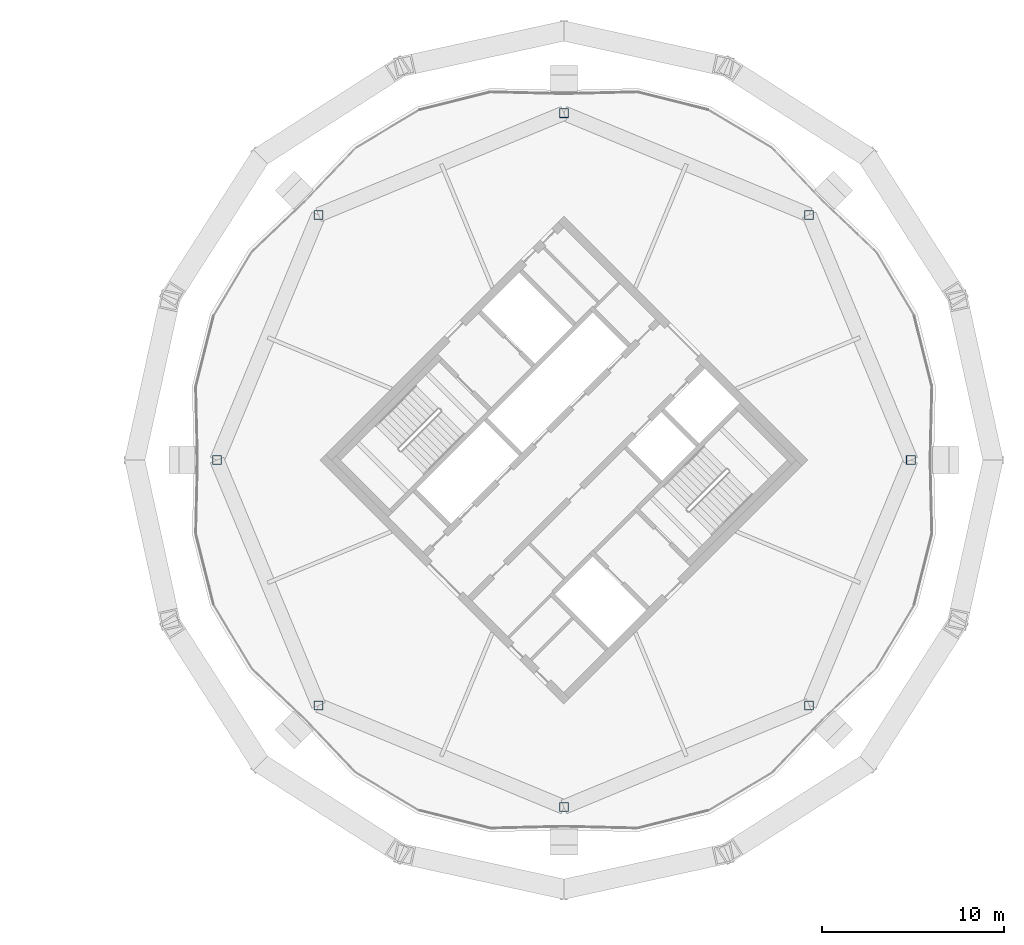
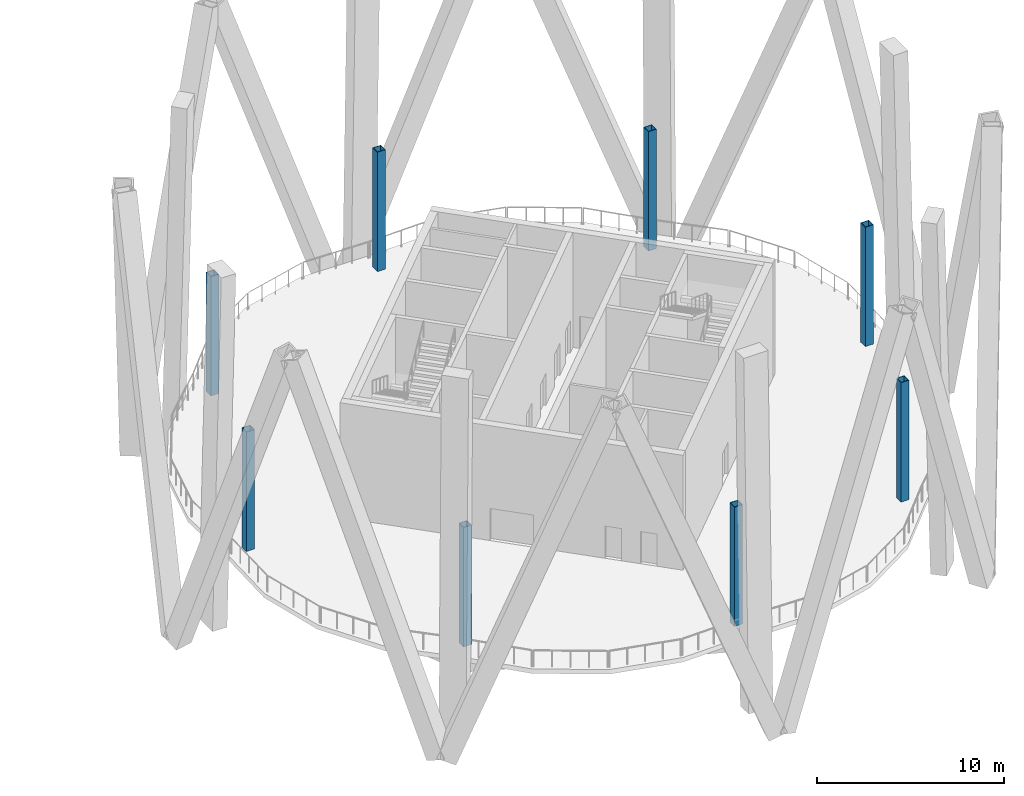
# One storey, part 2 of 13: 8 columns.
"""IFC4 building model written with IfcOpenShell, lengths in metres."""

from ifc_helpers import new_model, si_unit, direction, frame, origin, origin_2d, place, context, subcontext, project, spatial, hollow_rectangle, extrude, material, material_profile, profile_set, type_object, element, save


model = new_model("IFC4")

# Units and contexts
model_context = context("Model", 3, precision=1e-05, world=origin(), true_north=direction((0.0, 1.0)))
body_context = subcontext(model_context, "Body", "Model", "MODEL_VIEW")
ifc_project = project(units=[si_unit("LENGTHUNIT", "METRE"), si_unit("AREAUNIT", "SQUARE_METRE"), si_unit("VOLUMEUNIT", "CUBIC_METRE"), si_unit("PLANEANGLEUNIT", "RADIAN"), si_unit("MASSUNIT", "GRAM", prefix="KILO")], contexts=[model_context])

# Site, building, storey
site_placement = place(None, origin())
site = spatial("IfcSite", under=ifc_project, at=site_placement, CompositionType="ELEMENT")
building_placement = place(site_placement, origin())
building = spatial("IfcBuilding", under=site, at=building_placement, Name="Ogive Gate Towers", CompositionType="ELEMENT")
storey_placement = place(building_placement, frame((0.0, 0.0, 221.10009765625)))
storey = spatial("IfcBuildingStorey", under=building, at=storey_placement, Name="L53", CompositionType="ELEMENT", Elevation=221.10009765625)

# Columns
ifc_material = material(Name="Steel SM460", Category="steel")
ifc_material_profile = material_profile(ifc_material, hollow_rectangle(XDim=0.5, YDim=0.5, WallThickness=0.030029296875, at=origin_2d()), Name="BX 500x500x30")
ifc_profile_set = profile_set([ifc_material_profile], Name="Steel SM460")
column_type = type_object("IfcColumnType", Name="Perimeter post BX 500x500x30", PredefinedType="COLUMN", material=ifc_profile_set)
for number, where, z_axis, x_axis, name in (
    (1, (55.110107421875, 0.0, 0.0), (0.0, 0.0, 1.0), (1.0, 0.0, 0.0), "T2/L53/SCL001"),
    (2, (49.5126953125, 13.5126953125, 0.0), (0.0, 0.0, 1.0), (1.0, 0.0, 0.0), "T2/L53/SCL002"),
    (3, (36.0, 19.110107421875, 0.0), (0.0, 0.0, 1.0), (1.0, 0.0, 0.0), "T2/L53/SCL003"),
    (4, (22.4873046875, 13.5126953125, 0.0), (0.0, 0.0, 1.0), (1.0, 0.0, 0.0), "T2/L53/SCL004"),
    (5, (16.889892578125, 0.0, 0.0), (0.0, 0.0, 1.0), (1.0, 0.0, 0.0), "T2/L53/SCL005"),
    (6, (22.4873046875, -13.5126953125, 0.0), (0.0, 0.0, 1.0), (1.0, 0.0, 0.0), "T2/L53/SCL006"),
    (7, (36.0, -19.110107421875, 0.0), (0.0, 0.0, 1.0), (1.0, 0.0, 0.0), "T2/L53/SCL007"),
    (8, (49.5126953125, -13.5126953125, 0.0), (0.0, 0.0, 1.0), (1.0, 0.0, 0.0), "T2/L53/SCL008"),
):
    element("IfcColumn", number, at=place(storey_placement, frame(where, z_axis=z_axis, x_axis=x_axis)), inside=storey, type_object=column_type, Name=name, PredefinedType="COLUMN", context=body_context, shape_type="SweptSolid", body=[
        extrude(hollow_rectangle(XDim=0.5, YDim=0.5, WallThickness=0.030029296875, at=origin_2d()), origin(), (0.0, 0.0, 1.0), 7.7998046875),
    ])

save(model, "model.ifc")
